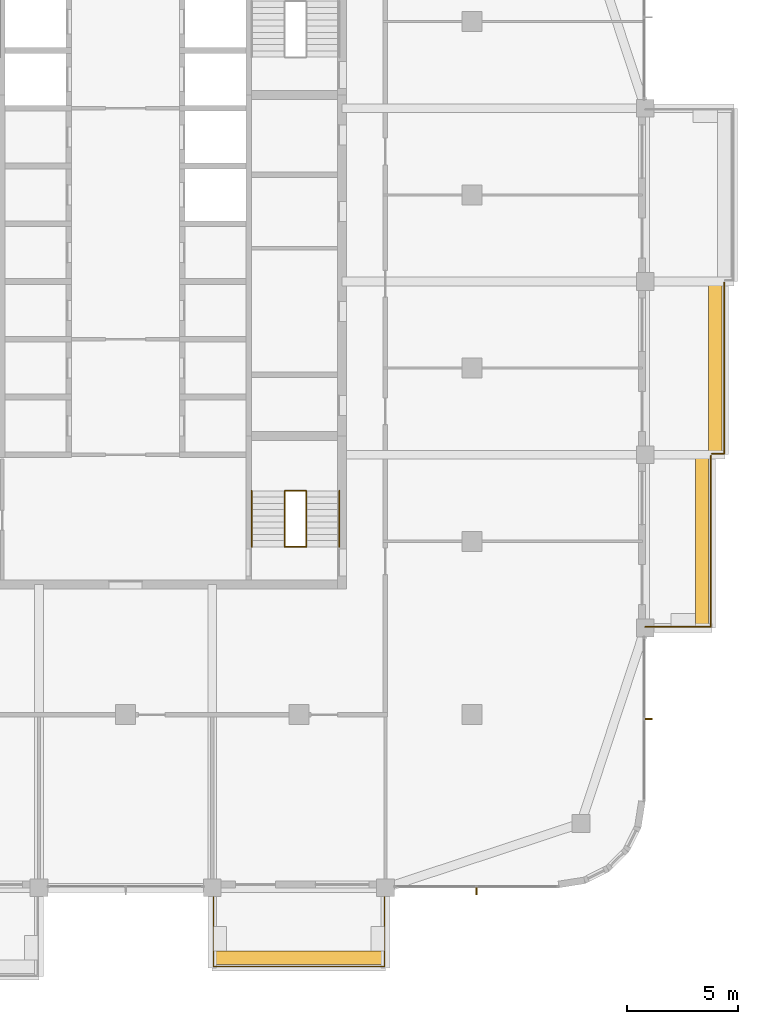
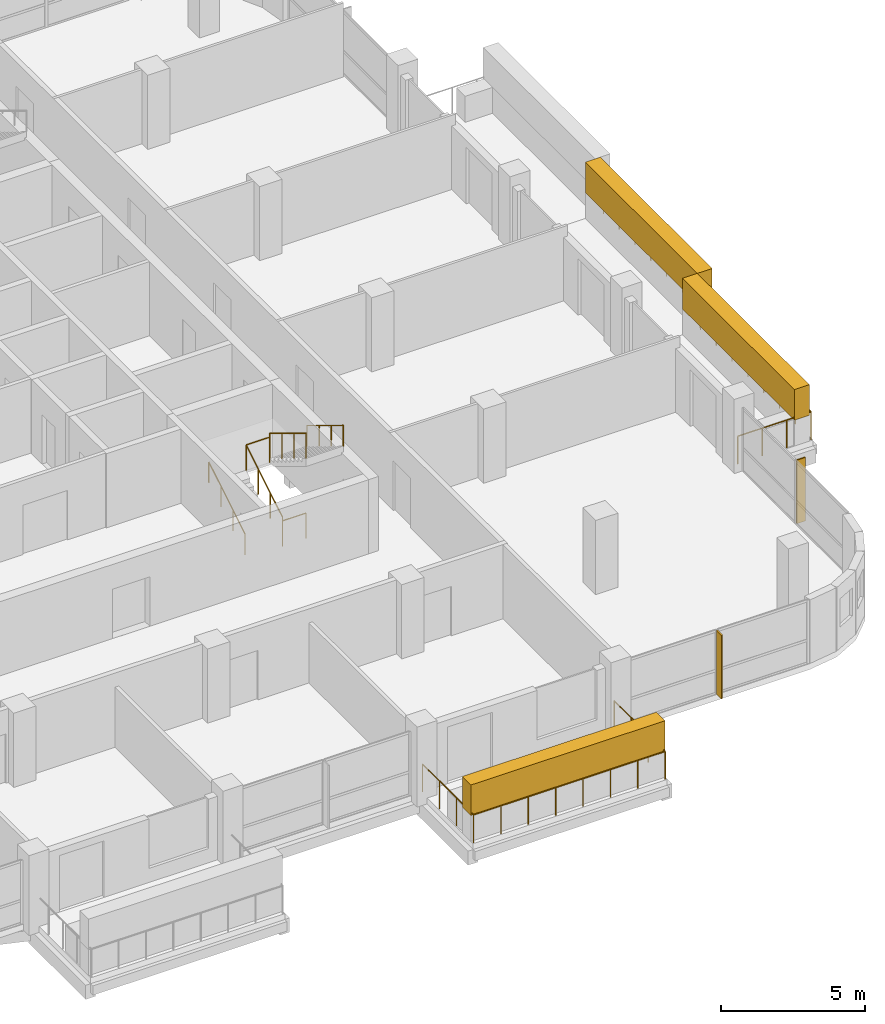
# One storey, part 20 of 22: 9 railings, 3 coverings, 2 shading devices, 1 element without a shape of its own.
"""IFC4 building model written with IfcOpenShell, lengths in metres."""

from ifc_helpers import new_model, si_unit, direction, frame, origin, origin_2d, place, context, subcontext, project, spatial, rectangle, circle, extrude, material, layer, layer_set, type_object, element, aggregate, save


model = new_model("IFC4")

# Units and contexts
model_context = context("Model", 3, precision=1e-05, world=origin(), true_north=direction((0.0, 1.0)))
body_context = subcontext(model_context, "Body", "Model", "MODEL_VIEW")
ifc_project = project(units=[si_unit("LENGTHUNIT", "METRE"), si_unit("AREAUNIT", "SQUARE_METRE"), si_unit("VOLUMEUNIT", "CUBIC_METRE"), si_unit("PLANEANGLEUNIT", "RADIAN"), si_unit("MASSUNIT", "GRAM", prefix="KILO")], contexts=[model_context])

# Site, building, storey
site_placement = place(None, origin())
site = spatial("IfcSite", under=ifc_project, at=site_placement, CompositionType="ELEMENT")
building_placement = place(site_placement, origin())
building = spatial("IfcBuilding", under=site, at=building_placement, Name="Ludao Terraces", CompositionType="ELEMENT")
storey_placement = place(building_placement, frame((0.0, 0.0, 200.699951171875)))
storey = spatial("IfcBuildingStorey", under=building, at=storey_placement, Name="L54", CompositionType="ELEMENT", Elevation=200.699951171875)

# Railings
ifc_material_1 = material(Name="Stainless steel 304", Category="steel")
railing_type_1 = type_object("IfcRailingType", Name="ENV Balcony glass guard 1200", PredefinedType="GUARDRAIL", material=ifc_material_1)
railing_1_placement = place(storey_placement, frame((88.949951171875, 41.60009765625, 0.0)))
element("IfcRailing", 1, at=railing_1_placement, inside=storey, type_object=railing_type_1, Name="Balcony guard L54 S3", PredefinedType="GUARDRAIL", context=body_context, shape_type="SweptSolid", body=[
    extrude(circle(Radius=0.02392578125, at=origin_2d()), frame((0.0, 0.0, 1.17578125), z_axis=(0.0, -1.0, 0.0), x_axis=(1.0, 0.0, 0.0)), (0.0, 0.0, 1.0), 3.550048828125),
    extrude(circle(Radius=0.02392578125, at=origin_2d()), frame((0.0, -3.550048828125, 1.17578125), z_axis=(1.0, 0.0, 0.0), x_axis=(0.0, 1.0, 0.0)), (0.0, 0.0, 1.0), 7.699951171875),
    extrude(circle(Radius=0.02392578125, at=origin_2d()), frame((7.699951171875, -3.550048828125, 1.17578125), z_axis=(0.0, 1.0, 0.0), x_axis=(-1.0, 0.0, 0.0)), (0.0, 0.0, 1.0), 3.550048828125),
    extrude(circle(Radius=0.02099609375, at=origin_2d()), origin(), (0.0, 0.0, 1.0), 1.15185546875),
    extrude(circle(Radius=0.02099609375, at=origin_2d()), frame((0.0, -1.183349609375, 0.0)), (0.0, 0.0, 1.0), 1.15185546875),
    extrude(circle(Radius=0.02099609375, at=origin_2d()), frame((0.0, -2.36669921875, 0.0)), (0.0, 0.0, 1.0), 1.15185546875),
    extrude(circle(Radius=0.02099609375, at=origin_2d()), frame((0.0, -3.550048828125, 0.0)), (0.0, 0.0, 1.0), 1.15185546875),
    extrude(circle(Radius=0.02099609375, at=origin_2d()), frame((1.10009765625, -3.550048828125, 0.0)), (0.0, 0.0, 1.0), 1.15185546875),
    extrude(circle(Radius=0.02099609375, at=origin_2d()), frame((2.199951171875, -3.550048828125, 0.0)), (0.0, 0.0, 1.0), 1.15185546875),
    extrude(circle(Radius=0.02099609375, at=origin_2d()), frame((3.300048828125, -3.550048828125, 0.0)), (0.0, 0.0, 1.0), 1.15185546875),
    extrude(circle(Radius=0.02099609375, at=origin_2d()), frame((4.39990234375, -3.550048828125, 0.0)), (0.0, 0.0, 1.0), 1.15185546875),
    extrude(circle(Radius=0.02099609375, at=origin_2d()), frame((5.5, -3.550048828125, 0.0)), (0.0, 0.0, 1.0), 1.15185546875),
    extrude(circle(Radius=0.02099609375, at=origin_2d()), frame((6.599853515625, -3.550048828125, 0.0)), (0.0, 0.0, 1.0), 1.15185546875),
    extrude(circle(Radius=0.02099609375, at=origin_2d()), frame((7.699951171875, -3.550048828125, 0.0)), (0.0, 0.0, 1.0), 1.15185546875),
    extrude(circle(Radius=0.02099609375, at=origin_2d()), frame((7.699951171875, -2.36669921875, 0.0)), (0.0, 0.0, 1.0), 1.15185546875),
    extrude(circle(Radius=0.02099609375, at=origin_2d()), frame((7.699951171875, -1.183349609375, 0.0)), (0.0, 0.0, 1.0), 1.15185546875),
    extrude(circle(Radius=0.02099609375, at=origin_2d()), frame((7.699951171875, 0.0, 0.0)), (0.0, 0.0, 1.0), 1.15185546875),
])
railing_2_placement = place(storey_placement, frame((108.39990234375, 53.35009765625, 0.0)))
element("IfcRailing", 2, at=railing_2_placement, inside=storey, type_object=railing_type_1, Name="Balcony guard L54 E1", PredefinedType="GUARDRAIL", context=body_context, shape_type="SweptSolid", body=[
    extrude(circle(Radius=0.02392578125, at=origin_2d()), frame((0.0, 0.0, 1.17578125), z_axis=(1.0, 0.0, 0.0), x_axis=(0.0, 1.0, 0.0)), (0.0, 0.0, 1.0), 2.9501953125),
    extrude(circle(Radius=0.02392578125, at=origin_2d()), frame((2.9501953125, 0.0, 1.17578125), z_axis=(0.0, 1.0, 0.0), x_axis=(-1.0, 0.0, 0.0)), (0.0, 0.0, 1.0), 7.699951171875),
    extrude(circle(Radius=0.02099609375, at=origin_2d()), origin(), (0.0, 0.0, 1.0), 1.15185546875),
    extrude(circle(Radius=0.02099609375, at=origin_2d()), frame((0.9833984375, 0.0, 0.0)), (0.0, 0.0, 1.0), 1.15185546875),
    extrude(circle(Radius=0.02099609375, at=origin_2d()), frame((1.966796875, 0.0, 0.0)), (0.0, 0.0, 1.0), 1.15185546875),
    extrude(circle(Radius=0.02099609375, at=origin_2d()), frame((2.9501953125, 0.0, 0.0)), (0.0, 0.0, 1.0), 1.15185546875),
    extrude(circle(Radius=0.02099609375, at=origin_2d()), frame((2.9501953125, 1.10009765625, 0.0)), (0.0, 0.0, 1.0), 1.15185546875),
    extrude(circle(Radius=0.02099609375, at=origin_2d()), frame((2.9501953125, 2.199951171875, 0.0)), (0.0, 0.0, 1.0), 1.15185546875),
    extrude(circle(Radius=0.02099609375, at=origin_2d()), frame((2.9501953125, 3.300048828125, 0.0)), (0.0, 0.0, 1.0), 1.15185546875),
    extrude(circle(Radius=0.02099609375, at=origin_2d()), frame((2.9501953125, 4.39990234375, 0.0)), (0.0, 0.0, 1.0), 1.15185546875),
    extrude(circle(Radius=0.02099609375, at=origin_2d()), frame((2.9501953125, 5.5, 0.0)), (0.0, 0.0, 1.0), 1.15185546875),
    extrude(circle(Radius=0.02099609375, at=origin_2d()), frame((2.9501953125, 6.599853515625, 0.0)), (0.0, 0.0, 1.0), 1.15185546875),
    extrude(circle(Radius=0.02099609375, at=origin_2d()), frame((2.9501953125, 7.699951171875, 0.0)), (0.0, 0.0, 1.0), 1.15185546875),
])
railing_3_placement = place(storey_placement, frame((111.39990234375, 61.14990234375, 0.0)))
element("IfcRailing", 3, at=railing_3_placement, inside=storey, type_object=railing_type_1, Name="Balcony guard L54 E2", PredefinedType="GUARDRAIL", context=body_context, shape_type="SweptSolid", body=[
    extrude(circle(Radius=0.02392578125, at=origin_2d()), frame((0.0, 0.0, 1.17578125), z_axis=(1.0, 0.0, 0.0), x_axis=(0.0, 1.0, 0.0)), (0.0, 0.0, 1.0), 0.550048828125),
    extrude(circle(Radius=0.02392578125, at=origin_2d()), frame((0.550048828125, 0.0, 1.17578125), z_axis=(0.0, 1.0, 0.0), x_axis=(-1.0, 0.0, 0.0)), (0.0, 0.0, 1.0), 7.7001953125),
    extrude(circle(Radius=0.02099609375, at=origin_2d()), origin(), (0.0, 0.0, 1.0), 1.15185546875),
    extrude(circle(Radius=0.02099609375, at=origin_2d()), frame((0.550048828125, 0.0, 0.0)), (0.0, 0.0, 1.0), 1.15185546875),
    extrude(circle(Radius=0.02099609375, at=origin_2d()), frame((0.550048828125, 1.10009765625, 0.0)), (0.0, 0.0, 1.0), 1.15185546875),
    extrude(circle(Radius=0.02099609375, at=origin_2d()), frame((0.550048828125, 2.199951171875, 0.0)), (0.0, 0.0, 1.0), 1.15185546875),
    extrude(circle(Radius=0.02099609375, at=origin_2d()), frame((0.550048828125, 3.300048828125, 0.0)), (0.0, 0.0, 1.0), 1.15185546875),
    extrude(circle(Radius=0.02099609375, at=origin_2d()), frame((0.550048828125, 4.400146484375, 0.0)), (0.0, 0.0, 1.0), 1.15185546875),
    extrude(circle(Radius=0.02099609375, at=origin_2d()), frame((0.550048828125, 5.500244140625, 0.0)), (0.0, 0.0, 1.0), 1.15185546875),
    extrude(circle(Radius=0.02099609375, at=origin_2d()), frame((0.550048828125, 6.60009765625, 0.0)), (0.0, 0.0, 1.0), 1.15185546875),
    extrude(circle(Radius=0.02099609375, at=origin_2d()), frame((0.550048828125, 7.7001953125, 0.0)), (0.0, 0.0, 1.0), 1.15185546875),
])

# Coverings
ifc_material_2 = material(Name="Planting")
ifc_layer_1 = layer(ifc_material_2, 0.60009765625)
ifc_layer_set_1 = layer_set([ifc_layer_1], Name="ENV Planting hedge 600x1300")
covering_type = type_object("IfcCoveringType", Name="ENV Planting hedge 600x1300", PredefinedType="USERDEFINED", material=ifc_layer_set_1)
covering_placement = place(storey_placement, frame((92.800048828125, 38.449951171875, 1.10009765625), z_axis=(0.0, 0.0, 1.0), x_axis=(1.0, 0.0, 0.0)))
element("IfcCovering", 4, at=covering_placement, inside=storey, type_object=covering_type, Name="Planting hedge L54-S3", ObjectType="PLANTING", PredefinedType="USERDEFINED", context=body_context, shape_type="SweptSolid", body=[
    extrude(rectangle(XDim=7.800048828125, YDim=0.60009765625, at=origin_2d()), origin(), (0.0, 0.0, 1.0), 1.300048828125),
])
for number, where, z_axis, x_axis, name in (
    (5, (110.949951171875, 57.199951171875, 1.10009765625), (0.0, 0.0, 1.0), (1.0, 0.0, 0.0), "Planting hedge L54-E1"),
    (6, (111.550048828125, 65.0, 1.10009765625), (0.0, 0.0, 1.0), (1.0, 0.0, 0.0), "Planting hedge L54-E2"),
):
    element("IfcCovering", number, at=place(storey_placement, frame(where, z_axis=z_axis, x_axis=x_axis)), inside=storey, type_object=covering_type, Name=name, ObjectType="PLANTING", PredefinedType="USERDEFINED", context=body_context, shape_type="SweptSolid", body=[
        extrude(rectangle(XDim=0.60009765625, YDim=7.800048828125, at=origin_2d()), origin(), (0.0, 0.0, 1.0), 1.300048828125),
    ])

# Shading devices
ifc_material_3 = material(Name="Aluminium 6063-T6", Category="aluminium")
ifc_layer_2 = layer(ifc_material_3, 0.050048828125)
ifc_layer_set_2 = layer_set([ifc_layer_2], Name="ENV Sun fin 50x350")
shading_device_type = type_object("IfcShadingDeviceType", Name="ENV Sun fin 50x350", PredefinedType="USERDEFINED", material=ifc_layer_set_2)
shading_device_1_placement = place(storey_placement, frame((100.800048828125, 41.4599609375, 0.0), z_axis=(0.0, 0.0, 1.0), x_axis=(1.0, 0.0, 0.0)))
element("IfcShadingDevice", 7, at=shading_device_1_placement, inside=storey, type_object=shading_device_type, Name="FN-CW-L54-S5-1", ObjectType="FIN", PredefinedType="USERDEFINED", context=body_context, shape_type="SweptSolid", body=[
    extrude(rectangle(XDim=0.050048828125, YDim=0.35009765625, at=origin_2d()), origin(), (0.0, 0.0, 1.0), 2.699951171875),
])
shading_device_2_placement = place(storey_placement, frame((108.5400390625, 49.199951171875, 0.0), z_axis=(0.0, 0.0, 1.0), x_axis=(1.0, 0.0, 0.0)))
element("IfcShadingDevice", 8, at=shading_device_2_placement, inside=storey, type_object=shading_device_type, Name="FN-CW-L54-E1-1", ObjectType="FIN", PredefinedType="USERDEFINED", context=body_context, shape_type="SweptSolid", body=[
    extrude(rectangle(XDim=0.35009765625, YDim=0.050048828125, at=origin_2d()), origin(), (0.0, 0.0, 1.0), 2.699951171875),
])

# Stair, railings
ifc_material_4 = material(Name="Concrete C40", Category="concrete")
stair_type = type_object("IfcStairType", Name="INT Stair", PredefinedType="HALF_TURN_STAIR", material=ifc_material_4)
stair_placement = place(storey_placement, origin())
stair = element("IfcStair", 9, at=stair_placement, inside=storey, type_object=stair_type, Name="EXIT STAIR 3", PredefinedType="HALF_TURN_STAIR")
railing_type_2 = type_object("IfcRailingType", Name="INT Stair guard 1100", PredefinedType="GUARDRAIL", material=ifc_material_1)
railing_4_placement = place(storey_placement, frame((92.175048828125, 56.949951171875, 0.170166015625)))
railing_4 = element("IfcRailing", 10, at=railing_4_placement, type_object=railing_type_2, Name="ST-L54-S3-R1G", PredefinedType="GUARDRAIL", context=body_context, shape_type="SweptSolid", body=[
    extrude(circle(Radius=0.02392578125, at=origin_2d()), frame((0.0, 0.0, 1.076171875), z_axis=(0.0, 0.854821627497, 0.518921945155), x_axis=(-1.0, 0.0, 0.0)), (0.0, 0.0, 1.0), 2.947998046875),
    extrude(circle(Radius=0.02099609375, at=origin_2d()), origin(), (0.0, 0.0, 1.0), 1.052001953125),
    extrude(circle(Radius=0.02099609375, at=origin_2d()), frame((0.0, 0.840087890625, 0.510009765625)), (0.0, 0.0, 1.0), 1.052001953125),
    extrude(circle(Radius=0.02099609375, at=origin_2d()), frame((0.0, 1.679931640625, 1.019775390625)), (0.0, 0.0, 1.0), 1.052001953125),
    extrude(circle(Radius=0.02099609375, at=origin_2d()), frame((0.0, 2.52001953125, 1.52978515625)), (0.0, 0.0, 1.0), 1.052001953125),
])
railing_5_placement = place(storey_placement, frame((93.125, 59.469970703125, 1.8701171875)))
railing_5 = element("IfcRailing", 11, at=railing_5_placement, type_object=railing_type_2, Name="ST-L54-S3-R2G", PredefinedType="GUARDRAIL", context=body_context, shape_type="SweptSolid", body=[
    extrude(circle(Radius=0.02392578125, at=origin_2d()), frame((0.0, 0.0, 1.076171875), z_axis=(0.0, -0.85478489116, 0.518982456201), x_axis=(1.0, 0.0, 0.0)), (0.0, 0.0, 1.0), 2.9482421875),
    extrude(circle(Radius=0.02099609375, at=origin_2d()), origin(), (0.0, 0.0, 1.0), 1.052001953125),
    extrude(circle(Radius=0.02099609375, at=origin_2d()), frame((0.0, -0.840087890625, 0.510009765625)), (0.0, 0.0, 1.0), 1.052001953125),
    extrude(circle(Radius=0.02099609375, at=origin_2d()), frame((0.0, -1.679931640625, 1.02001953125)), (0.0, 0.0, 1.0), 1.052001953125),
    extrude(circle(Radius=0.02099609375, at=origin_2d()), frame((0.0, -2.52001953125, 1.530029296875)), (0.0, 0.0, 1.0), 1.052001953125),
])
railing_6_placement = place(storey_placement, frame((92.175048828125, 59.469970703125, 1.699951171875)))
railing_6 = element("IfcRailing", 12, at=railing_6_placement, type_object=railing_type_2, Name="ST-L54-S3-E1G", PredefinedType="GUARDRAIL", context=body_context, shape_type="SweptSolid", body=[
    extrude(circle(Radius=0.02392578125, at=origin_2d()), frame((0.0, 0.0, 1.076171875), z_axis=(1.0, 0.0, 0.0), x_axis=(0.0, 1.0, 0.0)), (0.0, 0.0, 1.0), 0.949951171875),
    extrude(circle(Radius=0.02099609375, at=origin_2d()), origin(), (0.0, 0.0, 1.0), 1.052001953125),
    extrude(circle(Radius=0.02099609375, at=origin_2d()), frame((0.949951171875, 0.0, 0.0)), (0.0, 0.0, 1.0), 1.052001953125),
])
railing_7_placement = place(storey_placement, frame((92.175048828125, 56.949951171875, 0.0)))
railing_7 = element("IfcRailing", 13, at=railing_7_placement, type_object=railing_type_2, Name="ST-L54-S3-E2G", PredefinedType="GUARDRAIL", context=body_context, shape_type="SweptSolid", body=[
    extrude(circle(Radius=0.02392578125, at=origin_2d()), frame((0.0, 0.0, 1.076171875), z_axis=(1.0, 0.0, 0.0), x_axis=(0.0, 1.0, 0.0)), (0.0, 0.0, 1.0), 0.949951171875),
    extrude(circle(Radius=0.02099609375, at=origin_2d()), origin(), (0.0, 0.0, 1.0), 1.052001953125),
    extrude(circle(Radius=0.02099609375, at=origin_2d()), frame((0.949951171875, 0.0, 0.0)), (0.0, 0.0, 1.0), 1.052001953125),
])
railing_type_3 = type_object("IfcRailingType", Name="INT Stair handrail 900", PredefinedType="HANDRAIL", material=ifc_material_1)
railing_8_placement = place(storey_placement, frame((90.675048828125, 56.949951171875, 0.170166015625)))
railing_8 = element("IfcRailing", 14, at=railing_8_placement, type_object=railing_type_3, Name="ST-L54-S3-R1H", PredefinedType="HANDRAIL", context=body_context, shape_type="SweptSolid", body=[
    extrude(circle(Radius=0.02392578125, at=origin_2d()), frame((0.0, 0.0, 0.8759765625), z_axis=(0.0, 0.854821627497, 0.518921945155), x_axis=(-1.0, 0.0, 0.0)), (0.0, 0.0, 1.0), 2.947998046875),
    extrude(circle(Radius=0.02099609375, at=origin_2d()), origin(), (0.0, 0.0, 1.0), 0.851806640625),
    extrude(circle(Radius=0.02099609375, at=origin_2d()), frame((0.0, 0.840087890625, 0.510009765625)), (0.0, 0.0, 1.0), 0.851806640625),
    extrude(circle(Radius=0.02099609375, at=origin_2d()), frame((0.0, 1.679931640625, 1.019775390625)), (0.0, 0.0, 1.0), 0.851806640625),
    extrude(circle(Radius=0.02099609375, at=origin_2d()), frame((0.0, 2.52001953125, 1.52978515625)), (0.0, 0.0, 1.0), 0.851806640625),
])
railing_9_placement = place(storey_placement, frame((94.625, 59.469970703125, 1.8701171875)))
railing_9 = element("IfcRailing", 15, at=railing_9_placement, type_object=railing_type_3, Name="ST-L54-S3-R2H", PredefinedType="HANDRAIL", context=body_context, shape_type="SweptSolid", body=[
    extrude(circle(Radius=0.02392578125, at=origin_2d()), frame((0.0, 0.0, 0.8759765625), z_axis=(0.0, -0.85478489116, 0.518982456201), x_axis=(1.0, 0.0, 0.0)), (0.0, 0.0, 1.0), 2.9482421875),
    extrude(circle(Radius=0.02099609375, at=origin_2d()), origin(), (0.0, 0.0, 1.0), 0.851806640625),
    extrude(circle(Radius=0.02099609375, at=origin_2d()), frame((0.0, -0.840087890625, 0.510009765625)), (0.0, 0.0, 1.0), 0.851806640625),
    extrude(circle(Radius=0.02099609375, at=origin_2d()), frame((0.0, -1.679931640625, 1.02001953125)), (0.0, 0.0, 1.0), 0.851806640625),
    extrude(circle(Radius=0.02099609375, at=origin_2d()), frame((0.0, -2.52001953125, 1.530029296875)), (0.0, 0.0, 1.0), 0.851806640625),
])
aggregate(stair, [railing_4, railing_8, railing_5, railing_9, railing_6, railing_7])

save(model, "model.ifc")
